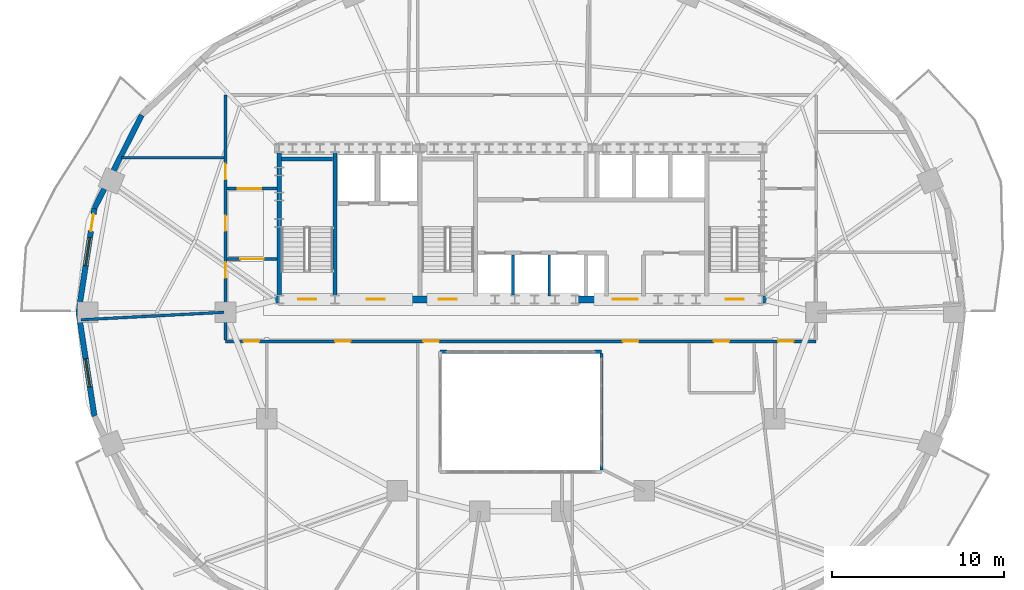
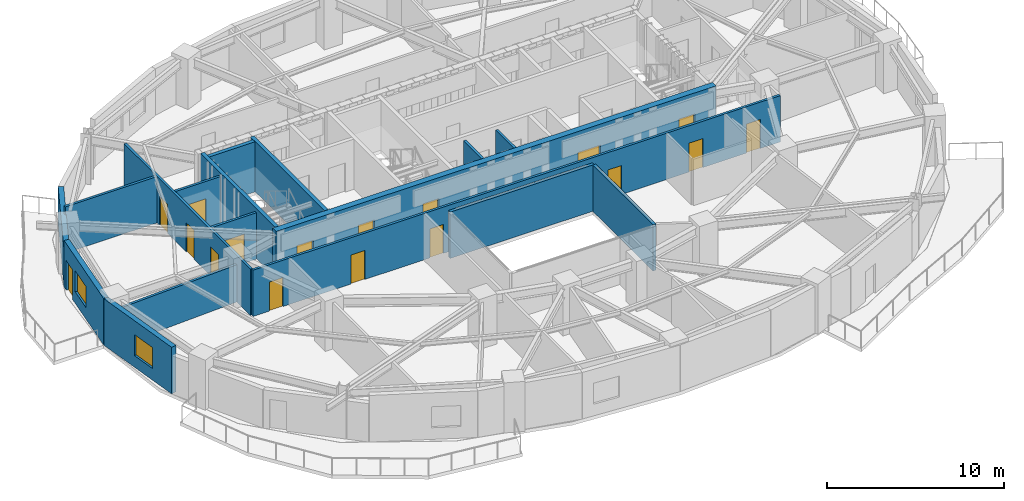
# One storey, part 6 of 11: 17 doors, 17 walls, 2 windows, 19 openings.
"""IFC4 building model written with IfcOpenShell, lengths in metres."""

from ifc_helpers import new_model, si_unit, direction, frame, frame_2d, origin, place, context, subcontext, project, spatial, rectangle, extrude, material, layer, layer_set, type_object, element, fill, save


model = new_model("IFC4")

# Units and contexts
model_context = context("Model", 3, precision=1e-05, world=origin(), true_north=direction((0.0, 1.0)))
body_context = subcontext(model_context, "Body", "Model", "MODEL_VIEW")
ifc_project = project(units=[si_unit("LENGTHUNIT", "METRE"), si_unit("AREAUNIT", "SQUARE_METRE"), si_unit("VOLUMEUNIT", "CUBIC_METRE"), si_unit("PLANEANGLEUNIT", "RADIAN"), si_unit("MASSUNIT", "GRAM", prefix="KILO")], contexts=[model_context])

# Site, building, storey
site_placement = place(None, origin())
site = spatial("IfcSite", under=ifc_project, at=site_placement, CompositionType="ELEMENT")
building_placement = place(site_placement, origin())
building = spatial("IfcBuilding", under=site, at=building_placement, Name="Haldorwick Loom Tower", CompositionType="ELEMENT")
storey_placement = place(building_placement, frame((0.0, 0.0, 164.800048828125)))
storey = spatial("IfcBuildingStorey", under=building, at=storey_placement, Name="L44", CompositionType="ELEMENT", Elevation=164.800048828125)

# Wall
ifc_material_1 = material(Name="Pressed Clay Face Brick and Insulated Masonry Backup Assembly", Category="masonry")
ifc_layer_1 = layer(ifc_material_1, 0.320068359375, Name="Pressed Clay Face Brick and Insulated Masonry Backup Assembly", Category="masonry")
ifc_layer_set_1 = layer_set([ifc_layer_1], Name="Pressed Clay Face Brick and Insulated Masonry Backup Assembly")
wall_type_1 = type_object("IfcWallType", Name="ARC-WL-EXT320", PredefinedType="STANDARD", material=ifc_layer_set_1)
wall_1_placement = place(storey_placement, frame((13.92333984375, 37.481201171875, 0.0), z_axis=(0.0, 0.0, 1.0), x_axis=(-0.453172129629, -0.89142303141, 0.0)))
element("IfcWall", 1, at=wall_1_placement, inside=storey, type_object=wall_type_1, Name="L44 Brick Pier and Spandrel Wall 11", PredefinedType="STANDARD", context=body_context, shape_type="SweptSolid", body=[
    extrude(rectangle(XDim=6.086669921875, YDim=0.320068359375, at=frame_2d((3.04345703125, 0.0))), origin(), (0.0, 0.0, 1.0), 2.640869140625),
])

# Wall, openings, door, window
wall_2_placement = place(storey_placement, frame((11.1650390625, 32.055419921875, 0.0), z_axis=(0.0, 0.0, 1.0), x_axis=(-0.150544467684, -0.988603238539, 0.0)))
wall_2 = element("IfcWall", 2, at=wall_2_placement, inside=storey, type_object=wall_type_1, Name="L44 Brick Pier and Spandrel Wall 12", PredefinedType="STANDARD", context=body_context, shape_type="SweptSolid", body=[
    extrude(rectangle(XDim=6.125244140625, YDim=0.320068359375, at=frame_2d((3.0625, 0.0))), origin(), (0.0, 0.0, 1.0), 3.2099609375),
])
opening_1_placement = place(wall_2_placement, frame((0.340087890625, 0.0, 0.0)))
opening_1 = element("IfcOpeningElement", 3, at=opening_1_placement, cuts=wall_2, Name="Opening D-BL10", PredefinedType="OPENING", context=body_context, shape_type="SweptSolid", body=[
    extrude(rectangle(XDim=1.0, YDim=2.0400390625, at=frame_2d((0.5, 1.02001953125))), frame((0.0, 0.169921875, 0.0), z_axis=(0.0, -1.0, 0.0), x_axis=(1.0, 0.0, 0.0)), (0.0, 0.0, 1.0), 0.340087890625),
])
opening_2_placement = place(wall_2_placement, frame((1.7255859375, 0.0, 0.800048828125)))
opening_2 = element("IfcOpeningElement", 4, at=opening_2_placement, cuts=wall_2, Name="Opening W-01B", PredefinedType="OPENING", context=body_context, shape_type="SweptSolid", body=[
    extrude(rectangle(XDim=1.64990234375, YDim=1.449951171875, at=frame_2d((0.824951171875, 0.72509765625))), frame((0.0, 0.169921875, 0.0), z_axis=(0.0, -1.0, 0.0), x_axis=(1.0, 0.0, 0.0)), (0.0, 0.0, 1.0), 0.340087890625),
])
ifc_material_2 = material(Name="Thermally Broken Anodized Aluminium Curtain Wall Framing", Category="aluminium")
door_type_1 = type_object("IfcDoorType", Name="ARC-DR-BAL100", OperationType="NOTDEFINED", PredefinedType="DOOR", material=ifc_material_2)
door_1_placement = place(opening_1_placement, origin())
door_1 = element("IfcDoor", 5, at=door_1_placement, inside=storey, type_object=door_type_1, Name="L44 Outdoor Terrace Door SLB-L44-BAL_WNW", OperationType="SINGLE_SWING_RIGHT", OverallHeight=2.0400390625, OverallWidth=1.0, PredefinedType="DOOR", context=body_context, shape_type="SweptSolid", body=[
    extrude(rectangle(XDim=1.0, YDim=2.0400390625, at=frame_2d((0.5, 1.02001953125))), frame((0.0, 0.02490234375, 0.0), z_axis=(0.0, -1.0, 0.0), x_axis=(1.0, 0.0, 0.0)), (0.0, 0.0, 1.0), 0.050048828125),
])
fill(opening_1, door_1)
ifc_material_3 = material(Name="Triple-Glazed Low-E Argon Insulated Glazing Unit", Category="glass")
window_type = type_object("IfcWindowType", Name="ARC-WIN-W165", PartitioningType="SINGLE_PANEL", PredefinedType="WINDOW", material=ifc_material_3)
window_1_placement = place(opening_2_placement, origin())
window_1 = element("IfcWindow", 6, at=window_1_placement, inside=storey, type_object=window_type, Name="L44 Deep-Set Zone 7A Window 12", OverallHeight=1.449951171875, OverallWidth=1.64990234375, PartitioningType="SINGLE_PANEL", PredefinedType="WINDOW", context=body_context, shape_type="SweptSolid", body=[
    extrude(rectangle(XDim=1.64990234375, YDim=1.449951171875, at=frame_2d((0.824951171875, 0.72509765625))), frame((0.0, 0.030029296875, 0.0), z_axis=(0.0, -1.0, 0.0), x_axis=(1.0, 0.0, 0.0)), (0.0, 0.0, 1.0), 0.06005859375),
])
fill(opening_2, window_1)

# Wall, opening, window
wall_3_placement = place(storey_placement, frame((10.242919921875, 26.0, 0.0), z_axis=(0.0, 0.0, 1.0), x_axis=(0.150544467684, -0.988603238539, 0.0)))
wall_3 = element("IfcWall", 7, at=wall_3_placement, inside=storey, type_object=wall_type_1, Name="L44 Brick Pier and Spandrel Wall 13", PredefinedType="STANDARD", context=body_context, shape_type="SweptSolid", body=[
    extrude(rectangle(XDim=6.125244140625, YDim=0.320068359375, at=frame_2d((3.0625, 0.0))), origin(), (0.0, 0.0, 1.0), 3.2099609375),
])
opening_3_placement = place(wall_3_placement, frame((2.749755859375, 0.0, 0.800048828125)))
opening_3 = element("IfcOpeningElement", 8, at=opening_3_placement, cuts=wall_3, Name="Opening W-01B", PredefinedType="OPENING", context=body_context, shape_type="SweptSolid", body=[
    extrude(rectangle(XDim=1.64990234375, YDim=1.449951171875, at=frame_2d((0.824951171875, 0.72509765625))), frame((0.0, 0.169921875, 0.0), z_axis=(0.0, -1.0, 0.0), x_axis=(1.0, 0.0, 0.0)), (0.0, 0.0, 1.0), 0.340087890625),
])
window_2_placement = place(opening_3_placement, origin())
window_2 = element("IfcWindow", 9, at=window_2_placement, inside=storey, type_object=window_type, Name="L44 Deep-Set Zone 7A Window 13", OverallHeight=1.449951171875, OverallWidth=1.64990234375, PartitioningType="SINGLE_PANEL", PredefinedType="WINDOW", context=body_context, shape_type="SweptSolid", body=[
    extrude(rectangle(XDim=1.64990234375, YDim=1.449951171875, at=frame_2d((0.824951171875, 0.72509765625))), frame((0.0, 0.030029296875, 0.0), z_axis=(0.0, -1.0, 0.0), x_axis=(1.0, 0.0, 0.0)), (0.0, 0.0, 1.0), 0.06005859375),
])
fill(opening_3, window_2)

# Wall, openings, doors
ifc_material_4 = material(Name="Fire-Rated Type X Gypsum Stud Assembly EI 60")
ifc_layer_2 = layer(ifc_material_4, 0.159912109375, Name="Fire-Rated Type X Gypsum Stud Assembly EI 60")
ifc_layer_set_2 = layer_set([ifc_layer_2], Name="Fire-Rated Type X Gypsum Stud Assembly EI 60")
wall_type_2 = type_object("IfcWallType", Name="ARC-WL-FIRE160", PredefinedType="PARTITIONING", material=ifc_layer_set_2)
wall_4_placement = place(storey_placement, frame((18.800048828125, 24.300048828125, 0.0), z_axis=(0.0, 0.0, 1.0), x_axis=(1.0, 0.0, 0.0)))
wall_4 = element("IfcWall", 10, at=wall_4_placement, inside=storey, type_object=wall_type_2, Name="L44 Residential Fire Partition L44-CR-SP", PredefinedType="PARTITIONING", context=body_context, shape_type="SweptSolid", body=[
    extrude(rectangle(XDim=34.39990234375, YDim=0.159912109375, at=frame_2d((17.199951171875, 0.0))), origin(), (0.0, 0.0, 1.0), 3.195068359375),
])
opening_4_placement = place(wall_4_placement, frame((11.52734375, 0.0, 0.0)))
opening_4 = element("IfcOpeningElement", 11, at=opening_4_placement, cuts=wall_4, Name="Opening D-FD60A", PredefinedType="OPENING", context=body_context, shape_type="SweptSolid", body=[
    extrude(rectangle(XDim=0.89990234375, YDim=2.0, at=frame_2d((0.449951171875, 1.0))), frame((0.0, 0.08984375, 0.0), z_axis=(0.0, -1.0, 0.0), x_axis=(1.0, 0.0, 0.0)), (0.0, 0.0, 1.0), 0.179931640625),
])
opening_5_placement = place(wall_4_placement, frame((6.385986328125, 0.0, 0.0)))
opening_5 = element("IfcOpeningElement", 12, at=opening_5_placement, cuts=wall_4, Name="Opening D-FD60A", PredefinedType="OPENING", context=body_context, shape_type="SweptSolid", body=[
    extrude(rectangle(XDim=0.89990234375, YDim=2.0, at=frame_2d((0.449951171875, 1.0))), frame((0.0, 0.08984375, 0.0), z_axis=(0.0, -1.0, 0.0), x_axis=(1.0, 0.0, 0.0)), (0.0, 0.0, 1.0), 0.179931640625),
])
opening_6_placement = place(wall_4_placement, frame((23.14501953125, 0.0, 0.0)))
opening_6 = element("IfcOpeningElement", 13, at=opening_6_placement, cuts=wall_4, Name="Opening D-FD60A", PredefinedType="OPENING", context=body_context, shape_type="SweptSolid", body=[
    extrude(rectangle(XDim=0.89990234375, YDim=2.0, at=frame_2d((0.449951171875, 1.0))), frame((0.0, 0.08984375, 0.0), z_axis=(0.0, -1.0, 0.0), x_axis=(1.0, 0.0, 0.0)), (0.0, 0.0, 1.0), 0.179931640625),
])
opening_7_placement = place(wall_4_placement, frame((28.437255859375, 0.0, 0.0)))
opening_7 = element("IfcOpeningElement", 14, at=opening_7_placement, cuts=wall_4, Name="Opening D-FD60A", PredefinedType="OPENING", context=body_context, shape_type="SweptSolid", body=[
    extrude(rectangle(XDim=0.89990234375, YDim=2.0, at=frame_2d((0.449951171875, 1.0))), frame((0.0, 0.08984375, 0.0), z_axis=(0.0, -1.0, 0.0), x_axis=(1.0, 0.0, 0.0)), (0.0, 0.0, 1.0), 0.179931640625),
])
opening_8_placement = place(wall_4_placement, frame((32.185791015625, 0.0, 0.0)))
opening_8 = element("IfcOpeningElement", 15, at=opening_8_placement, cuts=wall_4, Name="Opening D-FD60A", PredefinedType="OPENING", context=body_context, shape_type="SweptSolid", body=[
    extrude(rectangle(XDim=0.89990234375, YDim=2.0, at=frame_2d((0.449951171875, 1.0))), frame((0.0, 0.08984375, 0.0), z_axis=(0.0, -1.0, 0.0), x_axis=(1.0, 0.0, 0.0)), (0.0, 0.0, 1.0), 0.179931640625),
])
opening_9_placement = place(wall_4_placement, frame((1.063232421875, 0.0, 0.0)))
opening_9 = element("IfcOpeningElement", 16, at=opening_9_placement, cuts=wall_4, Name="Opening D-FD60A", PredefinedType="OPENING", context=body_context, shape_type="SweptSolid", body=[
    extrude(rectangle(XDim=0.89990234375, YDim=2.0, at=frame_2d((0.449951171875, 1.0))), frame((0.0, 0.08984375, 0.0), z_axis=(0.0, -1.0, 0.0), x_axis=(1.0, 0.0, 0.0)), (0.0, 0.0, 1.0), 0.179931640625),
])
ifc_material_5 = material(Name="Hollow Steel Fire Door Assembly", Category="steel")
door_type_2 = type_object("IfcDoorType", Name="ARC-DR-FD60-90", OperationType="NOTDEFINED", PredefinedType="DOOR", material=ifc_material_5)
door_2_placement = place(opening_4_placement, origin())
door_2 = element("IfcDoor", 17, at=door_2_placement, inside=storey, type_object=door_type_2, Name="L44 L44 Central Residential Corridor to Tenant Seminar Meeting Room 1 Do", OperationType="SINGLE_SWING_LEFT", OverallHeight=2.0, OverallWidth=0.89990234375, PredefinedType="DOOR", context=body_context, shape_type="SweptSolid", body=[
    extrude(rectangle(XDim=0.89990234375, YDim=2.0, at=frame_2d((0.449951171875, 1.0))), frame((0.0, 0.02490234375, 0.0), z_axis=(0.0, -1.0, 0.0), x_axis=(1.0, 0.0, 0.0)), (0.0, 0.0, 1.0), 0.050048828125),
])
fill(opening_4, door_2)
door_3_placement = place(opening_5_placement, origin())
door_3 = element("IfcDoor", 18, at=door_3_placement, inside=storey, type_object=door_type_2, Name="L44 L44 Central Residential Corridor to Tenant Seminar Meeting Room 6 Do", OperationType="SINGLE_SWING_RIGHT", OverallHeight=2.0, OverallWidth=0.89990234375, PredefinedType="DOOR", context=body_context, shape_type="SweptSolid", body=[
    extrude(rectangle(XDim=0.89990234375, YDim=2.0, at=frame_2d((0.449951171875, 1.0))), frame((0.0, 0.02490234375, 0.0), z_axis=(0.0, -1.0, 0.0), x_axis=(1.0, 0.0, 0.0)), (0.0, 0.0, 1.0), 0.050048828125),
])
fill(opening_5, door_3)
door_4_placement = place(opening_6_placement, origin())
door_4 = element("IfcDoor", 19, at=door_4_placement, inside=storey, type_object=door_type_2, Name="L44 L44 Central Residential Corridor to Tenant Seminar Meeting Room 8 Do", OperationType="SINGLE_SWING_LEFT", OverallHeight=2.0, OverallWidth=0.89990234375, PredefinedType="DOOR", context=body_context, shape_type="SweptSolid", body=[
    extrude(rectangle(XDim=0.89990234375, YDim=2.0, at=frame_2d((0.449951171875, 1.0))), frame((0.0, 0.02490234375, 0.0), z_axis=(0.0, -1.0, 0.0), x_axis=(1.0, 0.0, 0.0)), (0.0, 0.0, 1.0), 0.050048828125),
])
fill(opening_6, door_4)
door_5_placement = place(opening_7_placement, origin())
door_5 = element("IfcDoor", 20, at=door_5_placement, inside=storey, type_object=door_type_2, Name="L44 L44 Central Residential Corridor to Common Accessible WC Door", OperationType="SINGLE_SWING_LEFT", OverallHeight=2.0, OverallWidth=0.89990234375, PredefinedType="DOOR", context=body_context, shape_type="SweptSolid", body=[
    extrude(rectangle(XDim=0.89990234375, YDim=2.0, at=frame_2d((0.449951171875, 1.0))), frame((0.0, 0.02490234375, 0.0), z_axis=(0.0, -1.0, 0.0), x_axis=(1.0, 0.0, 0.0)), (0.0, 0.0, 1.0), 0.050048828125),
])
fill(opening_7, door_5)
door_6_placement = place(opening_8_placement, origin())
door_6 = element("IfcDoor", 21, at=door_6_placement, inside=storey, type_object=door_type_2, Name="L44 L44 Central Residential Corridor to Tenant Seminar Meeting Room 5 Do", OperationType="SINGLE_SWING_LEFT", OverallHeight=2.0, OverallWidth=0.89990234375, PredefinedType="DOOR", context=body_context, shape_type="SweptSolid", body=[
    extrude(rectangle(XDim=0.89990234375, YDim=2.0, at=frame_2d((0.449951171875, 1.0))), frame((0.0, 0.02490234375, 0.0), z_axis=(0.0, -1.0, 0.0), x_axis=(1.0, 0.0, 0.0)), (0.0, 0.0, 1.0), 0.050048828125),
])
fill(opening_8, door_6)
door_7_placement = place(opening_9_placement, origin())
door_7 = element("IfcDoor", 22, at=door_7_placement, inside=storey, type_object=door_type_2, Name="L44 L44 Central Residential Corridor to Tenant Seminar Meeting Room 7 Do", OperationType="SINGLE_SWING_LEFT", OverallHeight=2.0, OverallWidth=0.89990234375, PredefinedType="DOOR", context=body_context, shape_type="SweptSolid", body=[
    extrude(rectangle(XDim=0.89990234375, YDim=2.0, at=frame_2d((0.449951171875, 1.0))), frame((0.0, 0.02490234375, 0.0), z_axis=(0.0, -1.0, 0.0), x_axis=(1.0, 0.0, 0.0)), (0.0, 0.0, 1.0), 0.050048828125),
])
fill(opening_9, door_7)

wall_5_placement = place(storey_placement, frame((18.800048828125, 24.383056640625, 0.0), z_axis=(0.0, 0.0, 1.0), x_axis=(0.0, 1.0, 0.0)))
wall_5 = element("IfcWall", 23, at=wall_5_placement, inside=storey, type_object=wall_type_2, Name="L44 Residential Fire Partition L44-CR-W0", PredefinedType="PARTITIONING", context=body_context, shape_type="SweptSolid", body=[
    extrude(rectangle(XDim=14.266845703125, YDim=0.159912109375, at=frame_2d((7.13330078125, 0.0))), origin(), (0.0, 0.0, 1.0), 3.195068359375),
])
opening_10_placement = place(wall_5_placement, frame((6.34912109375, 0.0, 0.0)))
opening_10 = element("IfcOpeningElement", 24, at=opening_10_placement, cuts=wall_5, Name="Opening D-FD60A", PredefinedType="OPENING", context=body_context, shape_type="SweptSolid", body=[
    extrude(rectangle(XDim=0.89990234375, YDim=2.0, at=frame_2d((0.449951171875, 1.0))), frame((0.0, 0.08984375, 0.0), z_axis=(0.0, -1.0, 0.0), x_axis=(1.0, 0.0, 0.0)), (0.0, 0.0, 1.0), 0.179931640625),
])
opening_11_placement = place(wall_5_placement, frame((3.619873046875, 0.0, 0.0)))
opening_11 = element("IfcOpeningElement", 25, at=opening_11_placement, cuts=wall_5, Name="Opening D-FD60A", PredefinedType="OPENING", context=body_context, shape_type="SweptSolid", body=[
    extrude(rectangle(XDim=0.89990234375, YDim=2.0, at=frame_2d((0.449951171875, 1.0))), frame((0.0, 0.08984375, 0.0), z_axis=(0.0, -1.0, 0.0), x_axis=(1.0, 0.0, 0.0)), (0.0, 0.0, 1.0), 0.179931640625),
])
opening_12_placement = place(wall_5_placement, frame((9.358642578125, 0.0, 0.0)))
opening_12 = element("IfcOpeningElement", 26, at=opening_12_placement, cuts=wall_5, Name="Opening D-FD60A", PredefinedType="OPENING", context=body_context, shape_type="SweptSolid", body=[
    extrude(rectangle(XDim=0.89990234375, YDim=2.0, at=frame_2d((0.449951171875, 1.0))), frame((0.0, 0.08984375, 0.0), z_axis=(0.0, -1.0, 0.0), x_axis=(1.0, 0.0, 0.0)), (0.0, 0.0, 1.0), 0.179931640625),
])
door_8_placement = place(opening_10_placement, frame((0.89990234375, 0.0, 0.0), z_axis=(0.0, 0.0, 1.0), x_axis=(-1.0, 0.0, 0.0)))
door_8 = element("IfcDoor", 27, at=door_8_placement, inside=storey, type_object=door_type_2, Name="L44 Co-Working Office 2 to L44 West Residential Corridor Door", OperationType="SINGLE_SWING_RIGHT", OverallHeight=2.0, OverallWidth=0.89990234375, PredefinedType="DOOR", context=body_context, shape_type="SweptSolid", body=[
    extrude(rectangle(XDim=0.89990234375, YDim=2.0, at=frame_2d((0.449951171875, 1.0))), frame((0.0, 0.02490234375, 0.0), z_axis=(0.0, -1.0, 0.0), x_axis=(1.0, 0.0, 0.0)), (0.0, 0.0, 1.0), 0.050048828125),
])
fill(opening_10, door_8)
door_9_placement = place(opening_11_placement, frame((0.89990234375, 0.0, 0.0), z_axis=(0.0, 0.0, 1.0), x_axis=(-1.0, 0.0, 0.0)))
door_9 = element("IfcDoor", 28, at=door_9_placement, inside=storey, type_object=door_type_2, Name="L44 Co-Working Office 2 to L44 Central Residential Corridor Door", OperationType="SINGLE_SWING_RIGHT", OverallHeight=2.0, OverallWidth=0.89990234375, PredefinedType="DOOR", context=body_context, shape_type="SweptSolid", body=[
    extrude(rectangle(XDim=0.89990234375, YDim=2.0, at=frame_2d((0.449951171875, 1.0))), frame((0.0, 0.02490234375, 0.0), z_axis=(0.0, -1.0, 0.0), x_axis=(1.0, 0.0, 0.0)), (0.0, 0.0, 1.0), 0.050048828125),
])
fill(opening_11, door_9)
door_10_placement = place(opening_12_placement, frame((0.89990234375, 0.0, 0.0), z_axis=(0.0, 0.0, 1.0), x_axis=(-1.0, 0.0, 0.0)))
door_10 = element("IfcDoor", 29, at=door_10_placement, inside=storey, type_object=door_type_2, Name="L44 Co-Working Office 2 to L44 North Residential Corridor Door", OperationType="SINGLE_SWING_RIGHT", OverallHeight=2.0, OverallWidth=0.89990234375, PredefinedType="DOOR", context=body_context, shape_type="SweptSolid", body=[
    extrude(rectangle(XDim=0.89990234375, YDim=2.0, at=frame_2d((0.449951171875, 1.0))), frame((0.0, 0.02490234375, 0.0), z_axis=(0.0, -1.0, 0.0), x_axis=(1.0, 0.0, 0.0)), (0.0, 0.0, 1.0), 0.050048828125),
])
fill(opening_12, door_10)

# Wall, opening, door
wall_6_placement = place(storey_placement, frame((18.883056640625, 29.10009765625, 0.0), z_axis=(0.0, 0.0, 1.0), x_axis=(1.0, 0.0, 0.0)))
wall_6 = element("IfcWall", 30, at=wall_6_placement, inside=storey, type_object=wall_type_2, Name="L44 Residential Fire Partition L44-CR-WSJ", PredefinedType="PARTITIONING", context=body_context, shape_type="SweptSolid", body=[
    extrude(rectangle(XDim=2.923828125, YDim=0.159912109375, at=frame_2d((1.4619140625, 0.0))), origin(), (0.0, 0.0, 1.0), 3.195068359375),
])
opening_13_placement = place(wall_6_placement, frame((0.787109375, 0.0, 0.0)))
opening_13 = element("IfcOpeningElement", 31, at=opening_13_placement, cuts=wall_6, Name="Opening D-CR15", PredefinedType="OPENING", context=body_context, shape_type="SweptSolid", body=[
    extrude(rectangle(XDim=1.35009765625, YDim=2.0, at=frame_2d((0.675048828125, 1.0))), frame((0.0, 0.08984375, 0.0), z_axis=(0.0, -1.0, 0.0), x_axis=(1.0, 0.0, 0.0)), (0.0, 0.0, 1.0), 0.179931640625),
])
ifc_material_6 = material(Name="Thermally Broken Anodized Aluminium and Tempered Glass", Category="aluminium")
door_type_3 = type_object("IfcDoorType", Name="ARC-DR-COR150", OperationType="NOTDEFINED", PredefinedType="DOOR", material=ifc_material_6)
door_11_placement = place(opening_13_placement, origin())
door_11 = element("IfcDoor", 32, at=door_11_placement, inside=storey, type_object=door_type_3, Name="L44 L44 West Residential Corridor to L44 Central Residential Corridor Do", OperationType="DOUBLE_DOOR_SINGLE_SWING", OverallHeight=2.0, OverallWidth=1.35009765625, PredefinedType="DOOR", context=body_context, shape_type="SweptSolid", body=[
    extrude(rectangle(XDim=1.35009765625, YDim=2.0, at=frame_2d((0.675048828125, 1.0))), frame((0.0, 0.02490234375, 0.0), z_axis=(0.0, -1.0, 0.0), x_axis=(1.0, 0.0, 0.0)), (0.0, 0.0, 1.0), 0.050048828125),
])
fill(opening_13, door_11)

wall_7_placement = place(storey_placement, frame((18.883056640625, 33.199951171875, 0.0), z_axis=(0.0, 0.0, 1.0), x_axis=(1.0, 0.0, 0.0)))
wall_7 = element("IfcWall", 33, at=wall_7_placement, inside=storey, type_object=wall_type_2, Name="L44 Residential Fire Partition L44-CR-WNJ", PredefinedType="PARTITIONING", context=body_context, shape_type="SweptSolid", body=[
    extrude(rectangle(XDim=2.923828125, YDim=0.159912109375, at=frame_2d((1.4619140625, 0.0))), origin(), (0.0, 0.0, 1.0), 3.195068359375),
])
opening_14_placement = place(wall_7_placement, frame((0.637939453125, 0.0, 0.0)))
opening_14 = element("IfcOpeningElement", 34, at=opening_14_placement, cuts=wall_7, Name="Opening D-CR15", PredefinedType="OPENING", context=body_context, shape_type="SweptSolid", body=[
    extrude(rectangle(XDim=1.35009765625, YDim=2.0, at=frame_2d((0.675048828125, 1.0))), frame((0.0, 0.08984375, 0.0), z_axis=(0.0, -1.0, 0.0), x_axis=(1.0, 0.0, 0.0)), (0.0, 0.0, 1.0), 0.179931640625),
])
door_12_placement = place(opening_14_placement, origin())
door_12 = element("IfcDoor", 35, at=door_12_placement, inside=storey, type_object=door_type_3, Name="L44 L44 North Residential Corridor to L44 West Residential Corridor Door", OperationType="DOUBLE_DOOR_SINGLE_SWING", OverallHeight=2.0, OverallWidth=1.35009765625, PredefinedType="DOOR", context=body_context, shape_type="SweptSolid", body=[
    extrude(rectangle(XDim=1.35009765625, YDim=2.0, at=frame_2d((0.675048828125, 1.0))), frame((0.0, 0.02490234375, 0.0), z_axis=(0.0, -1.0, 0.0), x_axis=(1.0, 0.0, 0.0)), (0.0, 0.0, 1.0), 0.050048828125),
])
fill(opening_14, door_12)

# Walls
wall_8_placement = place(storey_placement, frame((18.717041015625, 25.99560546875, 0.0), z_axis=(0.0, 0.0, 1.0), x_axis=(-0.99863031647, -0.052321038094, 0.0)))
element("IfcWall", 36, at=wall_8_placement, inside=storey, type_object=wall_type_2, Name="L44 Residential Fire Partition L44-ICR-11", PredefinedType="PARTITIONING", context=body_context, shape_type="SweptSolid", body=[
    extrude(rectangle(XDim=8.3525390625, YDim=0.159912109375, at=frame_2d((4.17626953125, 0.0))), origin(), (0.0, 0.0, 1.0), 2.56787109375),
])
wall_9_placement = place(storey_placement, frame((12.73486328125, 35.0, 0.0), z_axis=(0.0, 0.0, 1.0), x_axis=(1.0, 0.0, 0.0)))
element("IfcWall", 37, at=wall_9_placement, inside=storey, type_object=wall_type_2, Name="L44 Residential Fire Partition L44-FLW-16", PredefinedType="PARTITIONING", context=body_context, shape_type="SweptSolid", body=[
    extrude(rectangle(XDim=5.982177734375, YDim=0.159912109375, at=frame_2d((2.9912109375, 0.0))), origin(), (0.0, 0.0, 1.0), 3.195068359375),
])
ifc_material_7 = material(Name="Fire-Rated Type X Gypsum Stud Assembly EI 120")
ifc_layer_3 = layer(ifc_material_7, 0.199951171875, Name="Fire-Rated Type X Gypsum Stud Assembly EI 120")
ifc_layer_set_3 = layer_set([ifc_layer_3], Name="Fire-Rated Type X Gypsum Stud Assembly EI 120")
wall_type_3 = type_object("IfcWallType", Name="ARC-WL-FIRE200", PredefinedType="PARTITIONING", material=ifc_layer_set_3)
wall_10_placement = place(storey_placement, frame((31.300048828125, 23.699951171875, 0.0), z_axis=(0.0, 0.0, 1.0), x_axis=(1.0, 0.0, 0.0)))
element("IfcWall", 38, at=wall_10_placement, inside=storey, type_object=wall_type_3, Name="L44 Atrium Fire Enclosure Wall N", PredefinedType="PARTITIONING", context=body_context, shape_type="SweptSolid", body=[
    extrude(rectangle(XDim=9.39990234375, YDim=0.199951171875, at=frame_2d((4.699951171875, 0.0))), origin(), (0.0, 0.0, 1.0), 3.195068359375),
])
wall_11_placement = place(storey_placement, frame((40.699951171875, 23.596923828125, 0.0), z_axis=(0.0, 0.0, 1.0), x_axis=(0.0, -1.0, 0.0)))
element("IfcWall", 39, at=wall_11_placement, inside=storey, type_object=wall_type_3, Name="L44 Atrium Fire Enclosure Wall E", PredefinedType="PARTITIONING", context=body_context, shape_type="SweptSolid", body=[
    extrude(rectangle(XDim=6.7939453125, YDim=0.199951171875, at=frame_2d((3.39697265625, 0.0))), origin(), (0.0, 0.0, 1.0), 3.195068359375),
])
ifc_layer_4 = layer(ifc_material_7, 0.1650390625, Name="Fire-Rated Type X Gypsum Stud Assembly EI 120")
ifc_layer_set_4 = layer_set([ifc_layer_4], Name="Fire-Rated Type X Gypsum Stud Assembly EI 120")
wall_type_4 = type_object("IfcWallType", Name="ARC-WL-SHAFT160", PredefinedType="MOVABLE", material=ifc_layer_set_4)
for number, where, z_axis, x_axis, name in (
    (40, (35.550048828125, 26.952880859375, 0.0), (0.0, 0.0, 1.0), (0.0, 1.0, 0.0), "L44 Mid-Rise Hoistway Divider 1"),
    (41, (37.64990234375, 26.952880859375, 0.0), (0.0, 0.0, 1.0), (0.0, 1.0, 0.0), "L44 Mid-Rise Hoistway Divider 2"),
):
    element("IfcWall", number, at=place(storey_placement, frame(where, z_axis=z_axis, x_axis=x_axis)), inside=storey, type_object=wall_type_4, Name=name, PredefinedType="MOVABLE", context=body_context, shape_type="SweptSolid", body=[
        extrude(rectangle(XDim=2.3740234375, YDim=0.159912109375, at=frame_2d((1.18701171875, 0.0))), origin(), (0.0, 0.0, 1.0), 3.195068359375),
    ])

# Wall, openings, doors
ifc_material_8 = material(Name="Concrete C50 (50 MPa)", Category="concrete")
ifc_layer_5 = layer(ifc_material_8, 0.39990234375, Name="Concrete C50 (50 MPa)", Category="concrete")
ifc_layer_set_5 = layer_set([ifc_layer_5], Name="Concrete C50 (50 MPa)")
wall_type_5 = type_object("IfcWallType", Name="STR-WL-CORE400", PredefinedType="SHEAR", material=ifc_layer_set_5)
wall_12_placement = place(storey_placement, frame((21.64990234375, 26.75, 0.0), z_axis=(0.0, 0.0, 1.0), x_axis=(1.0, 0.0, 0.0)))
wall_12 = element("IfcWall", 42, at=wall_12_placement, inside=storey, type_object=wall_type_5, Name="L44 Core Shear Wall S", PredefinedType="SHEAR", context=body_context, shape_type="SweptSolid", body=[
    extrude(rectangle(XDim=28.7001953125, YDim=0.39990234375, at=frame_2d((14.35009765625, 0.0))), origin(), (0.0, 0.0, 1.0), 3.449951171875),
])
opening_15_placement = place(wall_12_placement, frame((1.375, 0.0, 0.0)))
opening_15 = element("IfcOpeningElement", 43, at=opening_15_placement, cuts=wall_12, Name="Opening D-FD60", PredefinedType="OPENING", context=body_context, shape_type="SweptSolid", body=[
    extrude(rectangle(XDim=1.050048828125, YDim=2.0, at=frame_2d((0.52490234375, 1.0))), frame((0.0, 0.2099609375, 0.0), z_axis=(0.0, -1.0, 0.0), x_axis=(1.0, 0.0, 0.0)), (0.0, 0.0, 1.0), 0.419921875),
])
opening_16_placement = place(wall_12_placement, frame((5.375, 0.0, 0.0)))
opening_16 = element("IfcOpeningElement", 44, at=opening_16_placement, cuts=wall_12, Name="Opening D-FD60", PredefinedType="OPENING", context=body_context, shape_type="SweptSolid", body=[
    extrude(rectangle(XDim=1.050048828125, YDim=2.0, at=frame_2d((0.52490234375, 1.0))), frame((0.0, 0.2099609375, 0.0), z_axis=(0.0, -1.0, 0.0), x_axis=(1.0, 0.0, 0.0)), (0.0, 0.0, 1.0), 0.419921875),
])
opening_17_placement = place(wall_12_placement, frame((9.574951171875, 0.0, 0.0)))
opening_17 = element("IfcOpeningElement", 45, at=opening_17_placement, cuts=wall_12, Name="Opening D-FD60", PredefinedType="OPENING", context=body_context, shape_type="SweptSolid", body=[
    extrude(rectangle(XDim=1.050048828125, YDim=2.0, at=frame_2d((0.52490234375, 1.0))), frame((0.0, 0.2099609375, 0.0), z_axis=(0.0, -1.0, 0.0), x_axis=(1.0, 0.0, 0.0)), (0.0, 0.0, 1.0), 0.419921875),
])
opening_18_placement = place(wall_12_placement, frame((19.705078125, 0.0, 0.0)))
opening_18 = element("IfcOpeningElement", 46, at=opening_18_placement, cuts=wall_12, Name="Opening D-LB15", PredefinedType="OPENING", context=body_context, shape_type="SweptSolid", body=[
    extrude(rectangle(XDim=1.449951171875, YDim=2.0, at=frame_2d((0.72509765625, 1.0))), frame((0.0, 0.2099609375, 0.0), z_axis=(0.0, -1.0, 0.0), x_axis=(1.0, 0.0, 0.0)), (0.0, 0.0, 1.0), 0.419921875),
])
opening_19_placement = place(wall_12_placement, frame((26.27490234375, 0.0, 0.0)))
opening_19 = element("IfcOpeningElement", 47, at=opening_19_placement, cuts=wall_12, Name="Opening D-FD60", PredefinedType="OPENING", context=body_context, shape_type="SweptSolid", body=[
    extrude(rectangle(XDim=1.050048828125, YDim=2.0, at=frame_2d((0.52490234375, 1.0))), frame((0.0, 0.2099609375, 0.0), z_axis=(0.0, -1.0, 0.0), x_axis=(1.0, 0.0, 0.0)), (0.0, 0.0, 1.0), 0.419921875),
])
door_type_4 = type_object("IfcDoorType", Name="ARC-DR-FD60", OperationType="NOTDEFINED", PredefinedType="DOOR", material=ifc_material_5)
door_13_placement = place(opening_15_placement, origin())
door_13 = element("IfcDoor", 48, at=door_13_placement, inside=storey, type_object=door_type_4, Name="L44 Exit Stair ST-01 Fire Door", OperationType="SINGLE_SWING_RIGHT", OverallHeight=2.0, OverallWidth=1.050048828125, PredefinedType="DOOR", context=body_context, shape_type="SweptSolid", body=[
    extrude(rectangle(XDim=1.050048828125, YDim=2.0, at=frame_2d((0.52490234375, 1.0))), frame((0.0, 0.02490234375, 0.0), z_axis=(0.0, -1.0, 0.0), x_axis=(1.0, 0.0, 0.0)), (0.0, 0.0, 1.0), 0.050048828125),
])
fill(opening_15, door_13)
door_14_placement = place(opening_16_placement, origin())
door_14 = element("IfcDoor", 49, at=door_14_placement, inside=storey, type_object=door_type_4, Name="L44 Firefighting Lift Lobby Fire Door", OperationType="SINGLE_SWING_LEFT", OverallHeight=2.0, OverallWidth=1.050048828125, PredefinedType="DOOR", context=body_context, shape_type="SweptSolid", body=[
    extrude(rectangle(XDim=1.050048828125, YDim=2.0, at=frame_2d((0.52490234375, 1.0))), frame((0.0, 0.02490234375, 0.0), z_axis=(0.0, -1.0, 0.0), x_axis=(1.0, 0.0, 0.0)), (0.0, 0.0, 1.0), 0.050048828125),
])
fill(opening_16, door_14)
door_15_placement = place(opening_17_placement, origin())
door_15 = element("IfcDoor", 50, at=door_15_placement, inside=storey, type_object=door_type_4, Name="L44 Exit Stair ST-03 Fire Door", OperationType="SINGLE_SWING_LEFT", OverallHeight=2.0, OverallWidth=1.050048828125, PredefinedType="DOOR", context=body_context, shape_type="SweptSolid", body=[
    extrude(rectangle(XDim=1.050048828125, YDim=2.0, at=frame_2d((0.52490234375, 1.0))), frame((0.0, 0.02490234375, 0.0), z_axis=(0.0, -1.0, 0.0), x_axis=(1.0, 0.0, 0.0)), (0.0, 0.0, 1.0), 0.050048828125),
])
fill(opening_17, door_15)
door_16_placement = place(opening_19_placement, origin())
door_16 = element("IfcDoor", 51, at=door_16_placement, inside=storey, type_object=door_type_4, Name="L44 Exit Stair ST-02 Fire Door", OperationType="SINGLE_SWING_LEFT", OverallHeight=2.0, OverallWidth=1.050048828125, PredefinedType="DOOR", context=body_context, shape_type="SweptSolid", body=[
    extrude(rectangle(XDim=1.050048828125, YDim=2.0, at=frame_2d((0.52490234375, 1.0))), frame((0.0, 0.02490234375, 0.0), z_axis=(0.0, -1.0, 0.0), x_axis=(1.0, 0.0, 0.0)), (0.0, 0.0, 1.0), 0.050048828125),
])
fill(opening_19, door_16)
door_type_5 = type_object("IfcDoorType", Name="ARC-DR-LOB150", OperationType="NOTDEFINED", PredefinedType="DOOR", material=ifc_material_6)
door_17_placement = place(opening_18_placement, frame((1.449951171875, 0.0, 0.0), z_axis=(0.0, 0.0, 1.0), x_axis=(-1.0, 0.0, 0.0)))
door_17 = element("IfcDoor", 52, at=door_17_placement, inside=storey, type_object=door_type_5, Name="L44 Passenger Lift Lobby Fire Door", OperationType="DOUBLE_DOOR_SINGLE_SWING", OverallHeight=2.0, OverallWidth=1.449951171875, PredefinedType="DOOR", context=body_context, shape_type="SweptSolid", body=[
    extrude(rectangle(XDim=1.449951171875, YDim=2.0, at=frame_2d((0.72509765625, 1.0))), frame((0.0, 0.02490234375, 0.0), z_axis=(0.0, -1.0, 0.0), x_axis=(1.0, 0.0, 0.0)), (0.0, 0.0, 1.0), 0.050048828125),
])
fill(opening_18, door_17)

# Walls
ifc_layer_6 = layer(ifc_material_8, 0.239990234375, Name="Concrete C50 (50 MPa)", Category="concrete")
ifc_layer_set_6 = layer_set([ifc_layer_6], Name="Concrete C50 (50 MPa)")
wall_type_6 = type_object("IfcWallType", Name="STR-WL-SHAFT240", PredefinedType="SHEAR", material=ifc_layer_set_6)
for number, where, z_axis, x_axis, name in (
    (53, (21.929931640625, 35.346923828125, 0.0), (0.0, 0.0, 1.0), (0.0, -1.0, 0.0), "L44 Core Shear Wall W"),
    (54, (25.169921875, 26.952880859375, 0.0), (0.0, 0.0, 1.0), (0.0, 1.0, 0.0), "L44 Core Shear Wall 1"),
):
    element("IfcWall", number, at=place(storey_placement, frame(where, z_axis=z_axis, x_axis=x_axis)), inside=storey, type_object=wall_type_6, Name=name, PredefinedType="SHEAR", context=body_context, shape_type="SweptSolid", body=[
        extrude(rectangle(XDim=8.39404296875, YDim=0.239990234375, at=frame_2d((4.197021484375, 0.0))), origin(), (0.0, 0.0, 1.0), 3.449951171875),
    ])
wall_13_placement = place(storey_placement, frame((22.052978515625, 34.919921875, 0.0), z_axis=(0.0, 0.0, 1.0), x_axis=(1.0, 0.0, 0.0)))
element("IfcWall", 55, at=wall_13_placement, inside=storey, type_object=wall_type_6, Name="L44 Core Shear Wall 1N", PredefinedType="SHEAR", context=body_context, shape_type="SweptSolid", body=[
    extrude(rectangle(XDim=2.994140625, YDim=0.239990234375, at=frame_2d((1.4970703125, 0.0))), origin(), (0.0, 0.0, 1.0), 3.449951171875),
])

save(model, "model.ifc")
